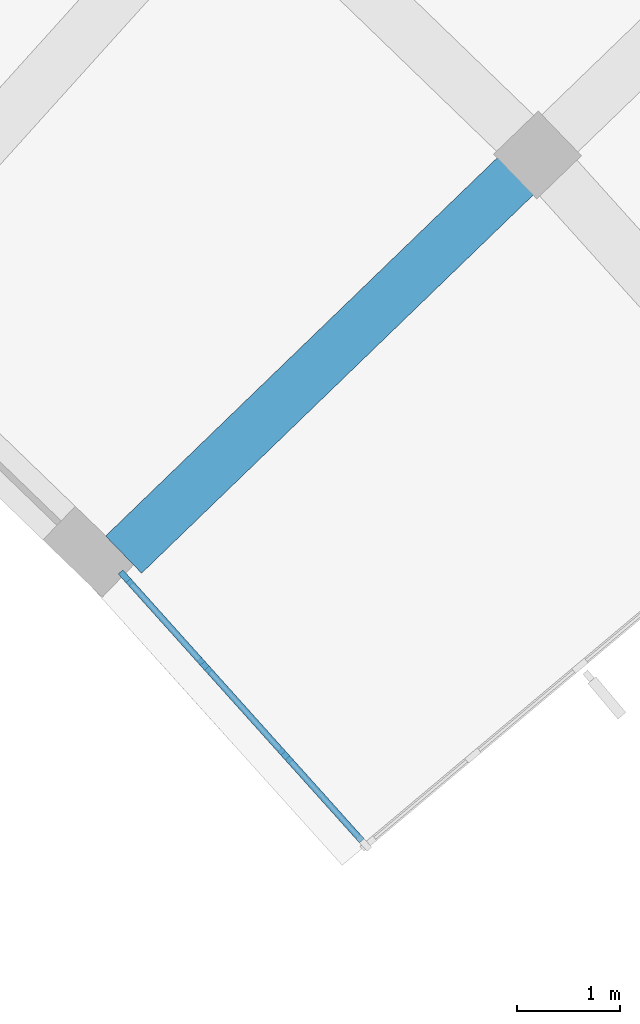
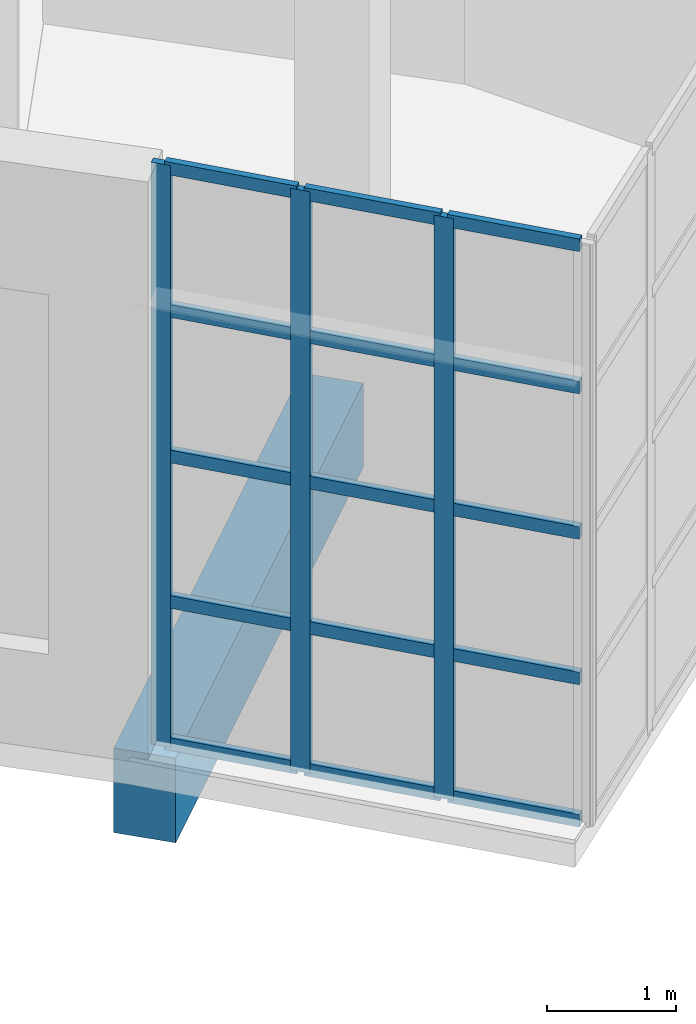
# One storey, part 12 of 132: 18 members, 1 beam, 1 element without a shape of its own.
"""IFC4 building model written with IfcOpenShell, lengths in metres."""

from ifc_helpers import new_model, si_unit, direction, frame, origin, origin_2d, place, context, subcontext, project, spatial, rectangle, extrude, material, layer, layer_set, material_profile, profile_set, type_object, element, aggregate, save


model = new_model("IFC4")

# Units and contexts
model_context = context("Model", 3, precision=1e-05, world=origin(), true_north=direction((0.0, 1.0)))
body_context = subcontext(model_context, "Body", "Model", "MODEL_VIEW")
ifc_project = project(units=[si_unit("LENGTHUNIT", "METRE"), si_unit("AREAUNIT", "SQUARE_METRE"), si_unit("VOLUMEUNIT", "CUBIC_METRE"), si_unit("PLANEANGLEUNIT", "RADIAN"), si_unit("MASSUNIT", "GRAM", prefix="KILO")], contexts=[model_context])

# Site, building, storey
site_placement = place(None, origin())
site = spatial("IfcSite", under=ifc_project, at=site_placement, CompositionType="ELEMENT")
building_placement = place(site_placement, origin())
building = spatial("IfcBuilding", under=site, at=building_placement, Name="Lunette Opera House", CompositionType="ELEMENT")
storey_placement = place(building_placement, frame((0.0, 0.0, 17.0)))
storey = spatial("IfcBuildingStorey", under=building, at=storey_placement, Name="L03", CompositionType="ELEMENT", Elevation=17.0)

# Curtain wall, members
ifc_material_1 = material(Name="Aluminium", Category="aluminium")
ifc_layer = layer(ifc_material_1, 0.159912109375)
ifc_layer_set = layer_set([ifc_layer], Name="Aluminium")
curtain_wall_type = type_object("IfcCurtainWallType", Name="CORNER CURTAIN WALL", PredefinedType="NOTDEFINED", material=ifc_layer_set)
curtain_wall_placement = place(storey_placement, origin())
curtain_wall = element("IfcCurtainWall", 1, at=curtain_wall_placement, inside=storey, type_object=curtain_wall_type, Name="Corner Curtain Wall GC-E1 L03", PredefinedType="NOTDEFINED")
ifc_material_2 = material(Name="Aluminium", Category="aluminium")
ifc_material_profile_1 = material_profile(ifc_material_2, rectangle(XDim=0.06005859375, YDim=0.159912109375, at=origin_2d()), Name="MULLION 60 X 160")
ifc_profile_set_1 = profile_set([ifc_material_profile_1], Name="Aluminium")
member_type_1 = type_object("IfcMemberType", Name="MULLION 60 X 160", PredefinedType="MULLION", material=ifc_profile_set_1)
member_1_placement = place(storey_placement, frame((133.74609375, 36.20068359375, 0.0), z_axis=(0.0, 0.0, 1.0), x_axis=(0.744216793887, 0.667938143615, 0.0)))
member_1 = element("IfcMember", 2, at=member_1_placement, type_object=member_type_1, Name="FC-X2177 mullion 1", PredefinedType="MULLION", context=body_context, shape_type="SweptSolid", body=[
    extrude(rectangle(XDim=0.06005859375, YDim=0.159912109375, at=origin_2d()), origin(), (0.0, 0.0, 1.0), 5.5),
])
member_2_placement = place(storey_placement, frame((134.50537109375, 35.354736328125, 0.0), z_axis=(0.0, 0.0, 1.0), x_axis=(0.744216793887, 0.667938143615, 0.0)))
member_2 = element("IfcMember", 3, at=member_2_placement, type_object=member_type_1, Name="FC-X2177 mullion 2", PredefinedType="MULLION", context=body_context, shape_type="SweptSolid", body=[
    extrude(rectangle(XDim=0.06005859375, YDim=0.159912109375, at=origin_2d()), origin(), (0.0, 0.0, 1.0), 5.5),
])
member_3_placement = place(storey_placement, frame((135.28466796875, 34.486328125, 0.0), z_axis=(0.0, 0.0, 1.0), x_axis=(0.744216793887, 0.667938143615, 0.0)))
member_3 = element("IfcMember", 4, at=member_3_placement, type_object=member_type_1, Name="FC-X2177 mullion 3", PredefinedType="MULLION", context=body_context, shape_type="SweptSolid", body=[
    extrude(rectangle(XDim=0.06005859375, YDim=0.159912109375, at=origin_2d()), origin(), (0.0, 0.0, 1.0), 5.5),
])

# Beam
ifc_material_3 = material(Name="Concrete C35/45", Category="concrete")
ifc_material_profile_2 = material_profile(ifc_material_3, rectangle(XDim=0.5, YDim=0.800048828125, at=origin_2d()), Name="RC BEAM 500X800")
ifc_profile_set_2 = profile_set([ifc_material_profile_2], Name="Concrete C35/45")
beam_type = type_object("IfcBeamType", Name="RC BEAM 500X800", PredefinedType="BEAM", material=ifc_profile_set_2)
beam_placement = place(storey_placement, frame((133.721923828125, 36.427978515625, -0.6201171875), z_axis=(0.719321635767, 0.694677179931, 0.0), x_axis=(-0.694677179931, 0.719321635767, 0.0)))
element("IfcBeam", 5, at=beam_placement, inside=storey, type_object=beam_type, Name="beam-FC-L03-L03-RB-RL-25-1", PredefinedType="BEAM", context=body_context, shape_type="SweptSolid", body=[
    extrude(rectangle(XDim=0.5, YDim=0.800048828125, at=origin_2d()), origin(), (0.0, 0.0, 1.0), 5.270263671875),
])

# Member
ifc_material_4 = material(Name="Aluminium", Category="aluminium")
ifc_material_profile_3 = material_profile(ifc_material_4, rectangle(XDim=0.06005859375, YDim=0.1201171875, at=origin_2d()), Name="TRANSOM 60 X 120")
ifc_profile_set_3 = profile_set([ifc_material_profile_3], Name="Aluminium")
member_type_2 = type_object("IfcMemberType", Name="TRANSOM 60 X 120", PredefinedType="USERDEFINED", material=ifc_profile_set_3)
member_4_placement = place(storey_placement, frame((133.76611328125, 36.178466796875, 0.030029296875), z_axis=(0.667874323451, -0.744274067851, 0.0), x_axis=(0.744274067851, 0.667874323451, 0.0)))
member_4 = element("IfcMember", 6, at=member_4_placement, type_object=member_type_2, Name="FC-X2177 transom 1.1", ObjectType="TRANSOM", PredefinedType="USERDEFINED", context=body_context, shape_type="SweptSolid", body=[
    extrude(rectangle(XDim=0.06005859375, YDim=0.1201171875, at=origin_2d()), origin(), (0.0, 0.0, 1.0), 1.076904296875),
])

member_5_placement = place(storey_placement, frame((133.76611328125, 36.178466796875, 1.375), z_axis=(0.667874323451, -0.744274067851, 0.0), x_axis=(0.744274067851, 0.667874323451, 0.0)))
member_5 = element("IfcMember", 7, at=member_5_placement, type_object=member_type_2, Name="FC-X2177 transom 1.2", ObjectType="TRANSOM", PredefinedType="USERDEFINED", context=body_context, shape_type="SweptSolid", body=[
    extrude(rectangle(XDim=0.06005859375, YDim=0.1201171875, at=origin_2d()), origin(), (0.0, 0.0, 1.0), 1.076904296875),
])

member_6_placement = place(storey_placement, frame((133.76611328125, 36.178466796875, 2.75), z_axis=(0.667874323451, -0.744274067851, 0.0), x_axis=(0.744274067851, 0.667874323451, 0.0)))
member_6 = element("IfcMember", 8, at=member_6_placement, type_object=member_type_2, Name="FC-X2177 transom 1.3", ObjectType="TRANSOM", PredefinedType="USERDEFINED", context=body_context, shape_type="SweptSolid", body=[
    extrude(rectangle(XDim=0.06005859375, YDim=0.1201171875, at=origin_2d()), origin(), (0.0, 0.0, 1.0), 1.076904296875),
])

member_7_placement = place(storey_placement, frame((133.76611328125, 36.178466796875, 4.125), z_axis=(0.667874323451, -0.744274067851, 0.0), x_axis=(0.744274067851, 0.667874323451, 0.0)))
member_7 = element("IfcMember", 9, at=member_7_placement, type_object=member_type_2, Name="FC-X2177 transom 1.4", ObjectType="TRANSOM", PredefinedType="USERDEFINED", context=body_context, shape_type="SweptSolid", body=[
    extrude(rectangle(XDim=0.06005859375, YDim=0.1201171875, at=origin_2d()), origin(), (0.0, 0.0, 1.0), 1.076904296875),
])

member_8_placement = place(storey_placement, frame((133.76611328125, 36.178466796875, 5.469970703125), z_axis=(0.667874323451, -0.744274067851, 0.0), x_axis=(0.744274067851, 0.667874323451, 0.0)))
member_8 = element("IfcMember", 10, at=member_8_placement, type_object=member_type_2, Name="FC-X2177 transom 1.5", ObjectType="TRANSOM", PredefinedType="USERDEFINED", context=body_context, shape_type="SweptSolid", body=[
    extrude(rectangle(XDim=0.06005859375, YDim=0.1201171875, at=origin_2d()), origin(), (0.0, 0.0, 1.0), 1.076904296875),
])

member_9_placement = place(storey_placement, frame((134.525390625, 35.332275390625, 0.030029296875), z_axis=(0.667916007316, -0.744236660728, 0.0), x_axis=(0.744236660728, 0.667916007316, 0.0)))
member_9 = element("IfcMember", 11, at=member_9_placement, type_object=member_type_2, Name="FC-X2177 transom 2.1", ObjectType="TRANSOM", PredefinedType="USERDEFINED", context=body_context, shape_type="SweptSolid", body=[
    extrude(rectangle(XDim=0.06005859375, YDim=0.1201171875, at=origin_2d()), origin(), (0.0, 0.0, 1.0), 1.10693359375),
])

member_10_placement = place(storey_placement, frame((134.525390625, 35.332275390625, 1.375), z_axis=(0.667916007316, -0.744236660728, 0.0), x_axis=(0.744236660728, 0.667916007316, 0.0)))
member_10 = element("IfcMember", 12, at=member_10_placement, type_object=member_type_2, Name="FC-X2177 transom 2.2", ObjectType="TRANSOM", PredefinedType="USERDEFINED", context=body_context, shape_type="SweptSolid", body=[
    extrude(rectangle(XDim=0.06005859375, YDim=0.1201171875, at=origin_2d()), origin(), (0.0, 0.0, 1.0), 1.10693359375),
])

member_11_placement = place(storey_placement, frame((134.525390625, 35.332275390625, 2.75), z_axis=(0.667916007316, -0.744236660728, 0.0), x_axis=(0.744236660728, 0.667916007316, 0.0)))
member_11 = element("IfcMember", 13, at=member_11_placement, type_object=member_type_2, Name="FC-X2177 transom 2.3", ObjectType="TRANSOM", PredefinedType="USERDEFINED", context=body_context, shape_type="SweptSolid", body=[
    extrude(rectangle(XDim=0.06005859375, YDim=0.1201171875, at=origin_2d()), origin(), (0.0, 0.0, 1.0), 1.10693359375),
])

member_12_placement = place(storey_placement, frame((134.525390625, 35.332275390625, 4.125), z_axis=(0.667916007316, -0.744236660728, 0.0), x_axis=(0.744236660728, 0.667916007316, 0.0)))
member_12 = element("IfcMember", 14, at=member_12_placement, type_object=member_type_2, Name="FC-X2177 transom 2.4", ObjectType="TRANSOM", PredefinedType="USERDEFINED", context=body_context, shape_type="SweptSolid", body=[
    extrude(rectangle(XDim=0.06005859375, YDim=0.1201171875, at=origin_2d()), origin(), (0.0, 0.0, 1.0), 1.10693359375),
])

member_13_placement = place(storey_placement, frame((134.525390625, 35.332275390625, 5.469970703125), z_axis=(0.667916007316, -0.744236660728, 0.0), x_axis=(0.744236660728, 0.667916007316, 0.0)))
member_13 = element("IfcMember", 15, at=member_13_placement, type_object=member_type_2, Name="FC-X2177 transom 2.5", ObjectType="TRANSOM", PredefinedType="USERDEFINED", context=body_context, shape_type="SweptSolid", body=[
    extrude(rectangle(XDim=0.06005859375, YDim=0.1201171875, at=origin_2d()), origin(), (0.0, 0.0, 1.0), 1.10693359375),
])

member_14_placement = place(storey_placement, frame((135.3046875, 34.464111328125, 0.030029296875), z_axis=(0.667874323451, -0.744274067851, 0.0), x_axis=(0.744274067851, 0.667874323451, 0.0)))
member_14 = element("IfcMember", 16, at=member_14_placement, type_object=member_type_2, Name="FC-X2177 transom 3.1", ObjectType="TRANSOM", PredefinedType="USERDEFINED", context=body_context, shape_type="SweptSolid", body=[
    extrude(rectangle(XDim=0.06005859375, YDim=0.1201171875, at=origin_2d()), origin(), (0.0, 0.0, 1.0), 1.076904296875),
])

member_15_placement = place(storey_placement, frame((135.3046875, 34.464111328125, 1.375), z_axis=(0.667874323451, -0.744274067851, 0.0), x_axis=(0.744274067851, 0.667874323451, 0.0)))
member_15 = element("IfcMember", 17, at=member_15_placement, type_object=member_type_2, Name="FC-X2177 transom 3.2", ObjectType="TRANSOM", PredefinedType="USERDEFINED", context=body_context, shape_type="SweptSolid", body=[
    extrude(rectangle(XDim=0.06005859375, YDim=0.1201171875, at=origin_2d()), origin(), (0.0, 0.0, 1.0), 1.076904296875),
])

member_16_placement = place(storey_placement, frame((135.3046875, 34.464111328125, 2.75), z_axis=(0.667874323451, -0.744274067851, 0.0), x_axis=(0.744274067851, 0.667874323451, 0.0)))
member_16 = element("IfcMember", 18, at=member_16_placement, type_object=member_type_2, Name="FC-X2177 transom 3.3", ObjectType="TRANSOM", PredefinedType="USERDEFINED", context=body_context, shape_type="SweptSolid", body=[
    extrude(rectangle(XDim=0.06005859375, YDim=0.1201171875, at=origin_2d()), origin(), (0.0, 0.0, 1.0), 1.076904296875),
])

member_17_placement = place(storey_placement, frame((135.3046875, 34.464111328125, 4.125), z_axis=(0.667874323451, -0.744274067851, 0.0), x_axis=(0.744274067851, 0.667874323451, 0.0)))
member_17 = element("IfcMember", 19, at=member_17_placement, type_object=member_type_2, Name="FC-X2177 transom 3.4", ObjectType="TRANSOM", PredefinedType="USERDEFINED", context=body_context, shape_type="SweptSolid", body=[
    extrude(rectangle(XDim=0.06005859375, YDim=0.1201171875, at=origin_2d()), origin(), (0.0, 0.0, 1.0), 1.076904296875),
])

member_18_placement = place(storey_placement, frame((135.3046875, 34.464111328125, 5.469970703125), z_axis=(0.667874323451, -0.744274067851, 0.0), x_axis=(0.744274067851, 0.667874323451, 0.0)))
member_18 = element("IfcMember", 20, at=member_18_placement, type_object=member_type_2, Name="FC-X2177 transom 3.5", ObjectType="TRANSOM", PredefinedType="USERDEFINED", context=body_context, shape_type="SweptSolid", body=[
    extrude(rectangle(XDim=0.06005859375, YDim=0.1201171875, at=origin_2d()), origin(), (0.0, 0.0, 1.0), 1.076904296875),
])

aggregate(curtain_wall, [member_1, member_2, member_3, member_4, member_5, member_6, member_7, member_8, member_9, member_10, member_11, member_12, member_13, member_14, member_15, member_16, member_17, member_18])

save(model, "model.ifc")
